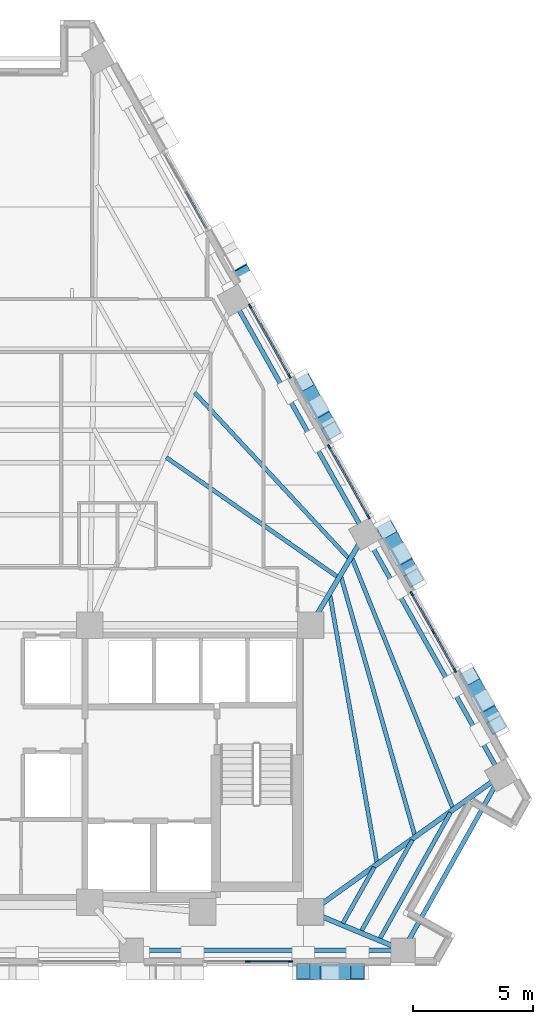
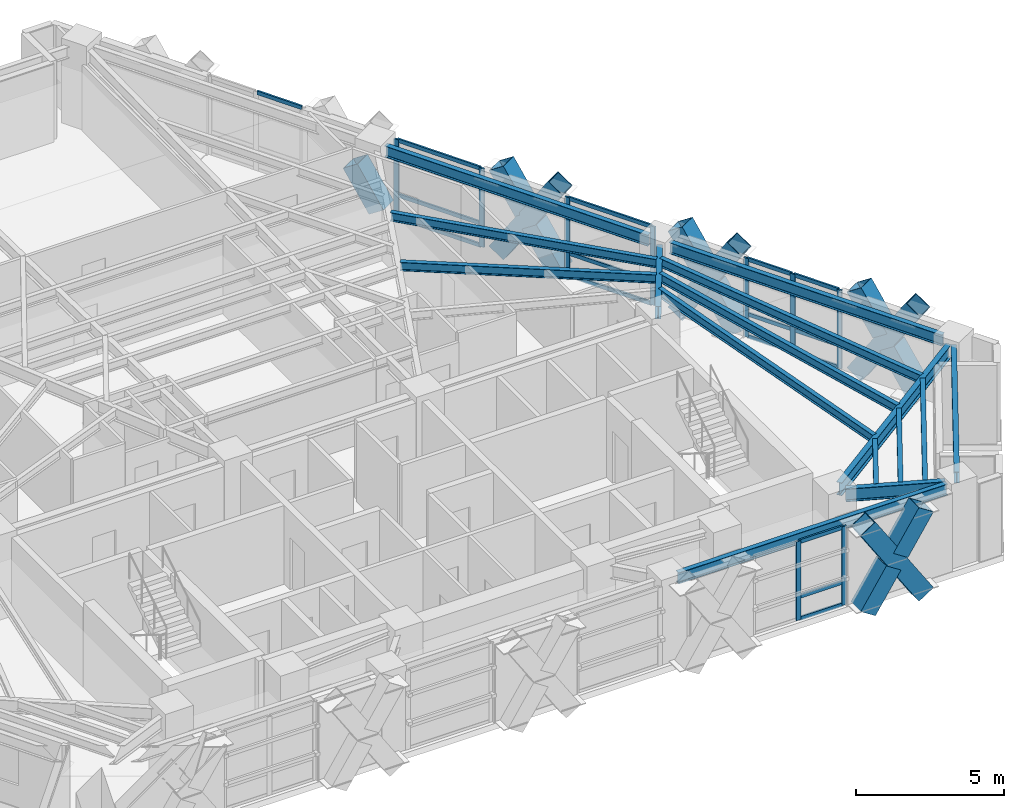
# One storey, part 4 of 14: 38 members, 15 beams, 5 elements without a shape of their own.
"""IFC4 building model written with IfcOpenShell, lengths in metres."""

from ifc_helpers import new_model, si_unit, direction, frame, origin, origin_2d, place, context, subcontext, project, spatial, rectangle, hollow_rectangle, i_section, extrude, material, material_profile, profile_set, type_object, element, aggregate, save


model = new_model("IFC4")

# Units and contexts
model_context = context("Model", 3, precision=1e-05, world=origin(), true_north=direction((0.0, 1.0)))
body_context = subcontext(model_context, "Body", "Model", "MODEL_VIEW")
ifc_project = project(units=[si_unit("LENGTHUNIT", "METRE"), si_unit("AREAUNIT", "SQUARE_METRE"), si_unit("VOLUMEUNIT", "CUBIC_METRE"), si_unit("PLANEANGLEUNIT", "RADIAN"), si_unit("MASSUNIT", "GRAM", prefix="KILO")], contexts=[model_context])

# Site, building, storey
site_placement = place(None, origin())
site = spatial("IfcSite", under=ifc_project, at=site_placement, CompositionType="ELEMENT")
building_placement = place(site_placement, origin())
building = spatial("IfcBuilding", under=site, at=building_placement, Name="Quenlor Broadcast Tower", CompositionType="ELEMENT")
storey_placement = place(building_placement, frame((0.0, 0.0, 154.5)))
storey = spatial("IfcBuildingStorey", under=building, at=storey_placement, Name="L42", CompositionType="ELEMENT", Elevation=154.5)

# Curtain wall, members
ifc_material_1 = material(Name="Architectural Terracotta and Low-E Glazing", Category="masonry")
curtain_wall_type = type_object("IfcCurtainWallType", Name="Unitised Terracotta Curtain Wall System Z3", PredefinedType="NOTDEFINED", material=ifc_material_1)
curtain_wall_1_placement = place(storey_placement, origin())
curtain_wall_1 = element("IfcCurtainWall", 1, at=curtain_wall_1_placement, inside=storey, type_object=curtain_wall_type, Name="L42 Curtain Wall CW3 (L42-SA-G1)", PredefinedType="NOTDEFINED")
ifc_material_2 = material(Name="Aluminium 6063-T6", Category="aluminium")
ifc_material_profile_1 = material_profile(ifc_material_2, rectangle(XDim=0.070068359375, YDim=0.18994140625, at=origin_2d()))
ifc_profile_set_1 = profile_set([ifc_material_profile_1], Name="Aluminium 6063-T6 MULL70x190")
member_type_1 = type_object("IfcMemberType", Name="CW3 Aluminium Mullion MULL_CW3", PredefinedType="MULLION", material=ifc_profile_set_1)
member_1_placement = place(storey_placement, frame((12.114013671875, -18.824951171875, 0.0), z_axis=(0.0, 0.0, 1.0), x_axis=(0.0, -1.0, 0.0)))
member_1 = element("IfcMember", 2, at=member_1_placement, type_object=member_type_1, Name="CW3 mullion 1", PredefinedType="MULLION", context=body_context, shape_type="SweptSolid", body=[
    extrude(rectangle(XDim=0.070068359375, YDim=0.18994140625, at=origin_2d()), origin(), (0.0, 0.0, 1.0), 3.25),
])
member_2_placement = place(storey_placement, frame((10.33203125, -18.824951171875, 0.0), z_axis=(0.0, 0.0, 1.0), x_axis=(0.0, -1.0, 0.0)))
member_2 = element("IfcMember", 3, at=member_2_placement, type_object=member_type_1, Name="CW3 mullion 2", PredefinedType="MULLION", context=body_context, shape_type="SweptSolid", body=[
    extrude(rectangle(XDim=0.070068359375, YDim=0.18994140625, at=origin_2d()), origin(), (0.0, 0.0, 1.0), 3.25),
])

curtain_wall_2_placement = place(storey_placement, origin())
curtain_wall_2 = element("IfcCurtainWall", 4, at=curtain_wall_2_placement, inside=storey, type_object=curtain_wall_type, Name="L42 Curtain Wall CW3 (L42-NEC-G1)", PredefinedType="NOTDEFINED")
member_3_placement = place(storey_placement, frame((17.17138671875, -3.48388671875, 0.0), z_axis=(0.0, 0.0, 1.0), x_axis=(0.871576967495, 0.490258696743, 0.0)))
member_3 = element("IfcMember", 5, at=member_3_placement, type_object=member_type_1, Name="CW3 mullion 1", PredefinedType="MULLION", context=body_context, shape_type="SweptSolid", body=[
    extrude(rectangle(XDim=0.070068359375, YDim=0.18994140625, at=origin_2d()), origin(), (0.0, 0.0, 1.0), 3.25),
])
member_4_placement = place(storey_placement, frame((18.069580078125, -5.080810546875, 0.0), z_axis=(0.0, 0.0, 1.0), x_axis=(0.871576967495, 0.490258696743, 0.0)))
member_4 = element("IfcMember", 6, at=member_4_placement, type_object=member_type_1, Name="CW3 mullion 2", PredefinedType="MULLION", context=body_context, shape_type="SweptSolid", body=[
    extrude(rectangle(XDim=0.070068359375, YDim=0.18994140625, at=origin_2d()), origin(), (0.0, 0.0, 1.0), 3.25),
])
member_5_placement = place(storey_placement, frame((18.9677734375, -6.677490234375, 0.0), z_axis=(0.0, 0.0, 1.0), x_axis=(0.871576967495, 0.490258696743, 0.0)))
member_5 = element("IfcMember", 7, at=member_5_placement, type_object=member_type_1, Name="CW3 mullion 3", PredefinedType="MULLION", context=body_context, shape_type="SweptSolid", body=[
    extrude(rectangle(XDim=0.070068359375, YDim=0.18994140625, at=origin_2d()), origin(), (0.0, 0.0, 1.0), 3.25),
])

curtain_wall_3_placement = place(storey_placement, origin())
curtain_wall_3 = element("IfcCurtainWall", 8, at=curtain_wall_3_placement, inside=storey, type_object=curtain_wall_type, Name="L42 Curtain Wall CW3 (L42-NE-G1)", PredefinedType="NOTDEFINED")
member_6_placement = place(storey_placement, frame((10.428955078125, 8.50244140625, 0.0), z_axis=(0.0, 0.0, 1.0), x_axis=(0.871578660222, 0.490255687418, 0.0)))
member_6 = element("IfcMember", 9, at=member_6_placement, type_object=member_type_1, Name="CW3 mullion 1", PredefinedType="MULLION", context=body_context, shape_type="SweptSolid", body=[
    extrude(rectangle(XDim=0.070068359375, YDim=0.18994140625, at=origin_2d()), origin(), (0.0, 0.0, 1.0), 3.25),
])
member_7_placement = place(storey_placement, frame((12.071533203125, 5.582275390625, 0.0), z_axis=(0.0, 0.0, 1.0), x_axis=(0.871578660222, 0.490255687418, 0.0)))
member_7 = element("IfcMember", 10, at=member_7_placement, type_object=member_type_1, Name="CW3 mullion 2", PredefinedType="MULLION", context=body_context, shape_type="SweptSolid", body=[
    extrude(rectangle(XDim=0.070068359375, YDim=0.18994140625, at=origin_2d()), origin(), (0.0, 0.0, 1.0), 3.25),
])

curtain_wall_4_placement = place(storey_placement, origin())
curtain_wall_4 = element("IfcCurtainWall", 11, at=curtain_wall_4_placement, inside=storey, type_object=curtain_wall_type, Name="L42 Curtain Wall CW3 (L42-NE-G2)", PredefinedType="NOTDEFINED")
member_8_placement = place(storey_placement, frame((13.723388671875, 2.64599609375, 0.0), z_axis=(0.0, 0.0, 1.0), x_axis=(0.871571633105, 0.490268180048, 0.0)))
member_8 = element("IfcMember", 12, at=member_8_placement, type_object=member_type_1, Name="CW3 mullion 1", PredefinedType="MULLION", context=body_context, shape_type="SweptSolid", body=[
    extrude(rectangle(XDim=0.070068359375, YDim=0.18994140625, at=origin_2d()), origin(), (0.0, 0.0, 1.0), 3.25),
])
member_9_placement = place(storey_placement, frame((15.365966796875, -0.274169921875, 0.0), z_axis=(0.0, 0.0, 1.0), x_axis=(0.871571633105, 0.490268180048, 0.0)))
member_9 = element("IfcMember", 13, at=member_9_placement, type_object=member_type_1, Name="CW3 mullion 2", PredefinedType="MULLION", context=body_context, shape_type="SweptSolid", body=[
    extrude(rectangle(XDim=0.070068359375, YDim=0.18994140625, at=origin_2d()), origin(), (0.0, 0.0, 1.0), 3.25),
])

# Member
ifc_material_3 = material(Name="Aluminium 6063-T6", Category="aluminium")
ifc_material_profile_2 = material_profile(ifc_material_3, rectangle(XDim=0.070068359375, YDim=0.155029296875, at=origin_2d()))
ifc_profile_set_2 = profile_set([ifc_material_profile_2], Name="Aluminium 6063-T6 TRAN70x155")
member_type_2 = type_object("IfcMemberType", Name="CW3 Aluminium Transom TRAN_CW3", PredefinedType="USERDEFINED", material=ifc_profile_set_2)
member_10_placement = place(storey_placement, frame((12.0791015625, -18.824951171875, 0.034912109375), z_axis=(-1.0, 0.0, 0.0), x_axis=(0.0, -1.0, 0.0)))
member_10 = element("IfcMember", 14, at=member_10_placement, type_object=member_type_2, Name="CW3 transom 1.1", ObjectType="TRANSOM", PredefinedType="USERDEFINED", context=body_context, shape_type="SweptSolid", body=[
    extrude(rectangle(XDim=0.070068359375, YDim=0.155029296875, at=origin_2d()), origin(), (0.0, 0.0, 1.0), 1.712158203125),
])

member_11_placement = place(storey_placement, frame((12.0791015625, -18.824951171875, 0.949951171875), z_axis=(-1.0, 0.0, 0.0), x_axis=(0.0, -1.0, 0.0)))
member_11 = element("IfcMember", 15, at=member_11_placement, type_object=member_type_2, Name="CW3 transom 1.2", ObjectType="TRANSOM", PredefinedType="USERDEFINED", context=body_context, shape_type="SweptSolid", body=[
    extrude(rectangle(XDim=0.070068359375, YDim=0.155029296875, at=origin_2d()), origin(), (0.0, 0.0, 1.0), 1.712158203125),
])

member_12_placement = place(storey_placement, frame((12.0791015625, -18.824951171875, 3.215087890625), z_axis=(-1.0, 0.0, 0.0), x_axis=(0.0, -1.0, 0.0)))
member_12 = element("IfcMember", 16, at=member_12_placement, type_object=member_type_2, Name="CW3 transom 1.3", ObjectType="TRANSOM", PredefinedType="USERDEFINED", context=body_context, shape_type="SweptSolid", body=[
    extrude(rectangle(XDim=0.070068359375, YDim=0.155029296875, at=origin_2d()), origin(), (0.0, 0.0, 1.0), 1.712158203125),
])

aggregate(curtain_wall_1, [member_1, member_2, member_10, member_11, member_12])

# Curtain wall, member
curtain_wall_5_placement = place(storey_placement, origin())
curtain_wall_5 = element("IfcCurtainWall", 17, at=curtain_wall_5_placement, inside=storey, type_object=curtain_wall_type, Name="L42 Curtain Wall CW3 (L42-NEA-G1)", PredefinedType="NOTDEFINED")
member_13_placement = place(storey_placement, frame((7.742431640625, 13.278564453125, 3.215087890625), z_axis=(0.490353334151, -0.871523727553, 0.0), x_axis=(0.871523727553, 0.490353334151, 0.0)))
member_13 = element("IfcMember", 18, at=member_13_placement, type_object=member_type_2, Name="CW3 transom 2.3", ObjectType="TRANSOM", PredefinedType="USERDEFINED", context=body_context, shape_type="SweptSolid", body=[
    extrude(rectangle(XDim=0.070068359375, YDim=0.155029296875, at=origin_2d()), origin(), (0.0, 0.0, 1.0), 1.761962890625),
])
aggregate(curtain_wall_5, [member_13])

# Member
member_14_placement = place(storey_placement, frame((17.188720703125, -3.514404296875, 0.034912109375), z_axis=(0.490188879637, -0.871616235668, 0.0), x_axis=(0.871616235668, 0.490188879637, 0.0)))
member_14 = element("IfcMember", 19, at=member_14_placement, type_object=member_type_2, Name="CW3 transom 1.1", ObjectType="TRANSOM", PredefinedType="USERDEFINED", context=body_context, shape_type="SweptSolid", body=[
    extrude(rectangle(XDim=0.070068359375, YDim=0.155029296875, at=origin_2d()), origin(), (0.0, 0.0, 1.0), 1.76220703125),
])

member_15_placement = place(storey_placement, frame((17.188720703125, -3.514404296875, 0.949951171875), z_axis=(0.490188879637, -0.871616235668, 0.0), x_axis=(0.871616235668, 0.490188879637, 0.0)))
member_15 = element("IfcMember", 20, at=member_15_placement, type_object=member_type_2, Name="CW3 transom 1.2", ObjectType="TRANSOM", PredefinedType="USERDEFINED", context=body_context, shape_type="SweptSolid", body=[
    extrude(rectangle(XDim=0.070068359375, YDim=0.155029296875, at=origin_2d()), origin(), (0.0, 0.0, 1.0), 1.76220703125),
])

member_16_placement = place(storey_placement, frame((17.188720703125, -3.514404296875, 3.215087890625), z_axis=(0.490188879637, -0.871616235668, 0.0), x_axis=(0.871616235668, 0.490188879637, 0.0)))
member_16 = element("IfcMember", 21, at=member_16_placement, type_object=member_type_2, Name="CW3 transom 1.3", ObjectType="TRANSOM", PredefinedType="USERDEFINED", context=body_context, shape_type="SweptSolid", body=[
    extrude(rectangle(XDim=0.070068359375, YDim=0.155029296875, at=origin_2d()), origin(), (0.0, 0.0, 1.0), 1.76220703125),
])

member_17_placement = place(storey_placement, frame((18.0869140625, -5.111083984375, 0.034912109375), z_axis=(0.490188879637, -0.871616235668, 0.0), x_axis=(0.871616235668, 0.490188879637, 0.0)))
member_17 = element("IfcMember", 22, at=member_17_placement, type_object=member_type_2, Name="CW3 transom 2.1", ObjectType="TRANSOM", PredefinedType="USERDEFINED", context=body_context, shape_type="SweptSolid", body=[
    extrude(rectangle(XDim=0.070068359375, YDim=0.155029296875, at=origin_2d()), origin(), (0.0, 0.0, 1.0), 1.76220703125),
])

member_18_placement = place(storey_placement, frame((18.0869140625, -5.111083984375, 0.949951171875), z_axis=(0.490188879637, -0.871616235668, 0.0), x_axis=(0.871616235668, 0.490188879637, 0.0)))
member_18 = element("IfcMember", 23, at=member_18_placement, type_object=member_type_2, Name="CW3 transom 2.2", ObjectType="TRANSOM", PredefinedType="USERDEFINED", context=body_context, shape_type="SweptSolid", body=[
    extrude(rectangle(XDim=0.070068359375, YDim=0.155029296875, at=origin_2d()), origin(), (0.0, 0.0, 1.0), 1.76220703125),
])

member_19_placement = place(storey_placement, frame((18.0869140625, -5.111083984375, 3.215087890625), z_axis=(0.490188879637, -0.871616235668, 0.0), x_axis=(0.871616235668, 0.490188879637, 0.0)))
member_19 = element("IfcMember", 24, at=member_19_placement, type_object=member_type_2, Name="CW3 transom 2.3", ObjectType="TRANSOM", PredefinedType="USERDEFINED", context=body_context, shape_type="SweptSolid", body=[
    extrude(rectangle(XDim=0.070068359375, YDim=0.155029296875, at=origin_2d()), origin(), (0.0, 0.0, 1.0), 1.76220703125),
])

aggregate(curtain_wall_2, [member_3, member_4, member_5, member_14, member_15, member_16, member_17, member_18, member_19])

member_20_placement = place(storey_placement, frame((10.4462890625, 8.471923828125, 0.034912109375), z_axis=(0.490236504766, -0.871589450025, 0.0), x_axis=(0.871589450025, 0.490236504766, 0.0)))
member_20 = element("IfcMember", 25, at=member_20_placement, type_object=member_type_2, Name="CW3 transom 1.1", ObjectType="TRANSOM", PredefinedType="USERDEFINED", context=body_context, shape_type="SweptSolid", body=[
    extrude(rectangle(XDim=0.070068359375, YDim=0.155029296875, at=origin_2d()), origin(), (0.0, 0.0, 1.0), 3.2802734375),
])

member_21_placement = place(storey_placement, frame((10.4462890625, 8.471923828125, 0.949951171875), z_axis=(0.490236504766, -0.871589450025, 0.0), x_axis=(0.871589450025, 0.490236504766, 0.0)))
member_21 = element("IfcMember", 26, at=member_21_placement, type_object=member_type_2, Name="CW3 transom 1.2", ObjectType="TRANSOM", PredefinedType="USERDEFINED", context=body_context, shape_type="SweptSolid", body=[
    extrude(rectangle(XDim=0.070068359375, YDim=0.155029296875, at=origin_2d()), origin(), (0.0, 0.0, 1.0), 3.2802734375),
])

member_22_placement = place(storey_placement, frame((10.4462890625, 8.471923828125, 3.215087890625), z_axis=(0.490236504766, -0.871589450025, 0.0), x_axis=(0.871589450025, 0.490236504766, 0.0)))
member_22 = element("IfcMember", 27, at=member_22_placement, type_object=member_type_2, Name="CW3 transom 1.3", ObjectType="TRANSOM", PredefinedType="USERDEFINED", context=body_context, shape_type="SweptSolid", body=[
    extrude(rectangle(XDim=0.070068359375, YDim=0.155029296875, at=origin_2d()), origin(), (0.0, 0.0, 1.0), 3.2802734375),
])

aggregate(curtain_wall_3, [member_6, member_7, member_20, member_21, member_22])

member_23_placement = place(storey_placement, frame((13.740478515625, 2.615478515625, 0.034912109375), z_axis=(0.490293039863, -0.871557648731, 0.0), x_axis=(0.871557648731, 0.490293039863, 0.0)))
member_23 = element("IfcMember", 28, at=member_23_placement, type_object=member_type_2, Name="CW3 transom 1.1", ObjectType="TRANSOM", PredefinedType="USERDEFINED", context=body_context, shape_type="SweptSolid", body=[
    extrude(rectangle(XDim=0.070068359375, YDim=0.155029296875, at=origin_2d()), origin(), (0.0, 0.0, 1.0), 3.280517578125),
])

member_24_placement = place(storey_placement, frame((13.740478515625, 2.615478515625, 0.949951171875), z_axis=(0.490293039863, -0.871557648731, 0.0), x_axis=(0.871557648731, 0.490293039863, 0.0)))
member_24 = element("IfcMember", 29, at=member_24_placement, type_object=member_type_2, Name="CW3 transom 1.2", ObjectType="TRANSOM", PredefinedType="USERDEFINED", context=body_context, shape_type="SweptSolid", body=[
    extrude(rectangle(XDim=0.070068359375, YDim=0.155029296875, at=origin_2d()), origin(), (0.0, 0.0, 1.0), 3.280517578125),
])

member_25_placement = place(storey_placement, frame((13.740478515625, 2.615478515625, 3.215087890625), z_axis=(0.490293039863, -0.871557648731, 0.0), x_axis=(0.871557648731, 0.490293039863, 0.0)))
member_25 = element("IfcMember", 30, at=member_25_placement, type_object=member_type_2, Name="CW3 transom 1.3", ObjectType="TRANSOM", PredefinedType="USERDEFINED", context=body_context, shape_type="SweptSolid", body=[
    extrude(rectangle(XDim=0.070068359375, YDim=0.155029296875, at=origin_2d()), origin(), (0.0, 0.0, 1.0), 3.280517578125),
])

aggregate(curtain_wall_4, [member_8, member_9, member_23, member_24, member_25])

# Members
ifc_material_4 = material(Name="Steel S355", Category="steel")
ifc_material_profile_3 = material_profile(ifc_material_4, hollow_rectangle(XDim=0.679931640625, YDim=0.679931640625, WallThickness=0.02490234375, at=origin_2d()))
ifc_profile_set_3 = profile_set([ifc_material_profile_3], Name="Steel S355 RHS680x680x25")
member_type_3 = type_object("IfcMemberType", Name="Perimeter Diagonal Lattice Brace Z3-Z4 Steel S355 RHS680x25", PredefinedType="BRACE", material=ifc_profile_set_3)
member_26_placement = place(storey_placement, frame((14.91015625, -19.219970703125, -0.1201171875), z_axis=(-0.543860340502, 0.0, 0.839175744424), x_axis=(0.0, -1.0, 0.0)))
element("IfcMember", 31, at=member_26_placement, inside=storey, type_object=member_type_3, Name="L42 Perimeter Diamond Lattice S-C1XA", PredefinedType="BRACE", context=body_context, shape_type="SweptSolid", body=[
    extrude(hollow_rectangle(XDim=0.679931640625, YDim=0.679931640625, WallThickness=0.02490234375, at=origin_2d()), origin(), (0.0, 0.0, 1.0), 4.170654296875),
])
member_27_placement = place(storey_placement, frame((12.641845703125, -19.219970703125, -0.1201171875), z_axis=(0.543786168213, 0.0, 0.839223809994), x_axis=(0.0, 1.0, 0.0)))
element("IfcMember", 32, at=member_27_placement, inside=storey, type_object=member_type_3, Name="L42 Perimeter Diamond Lattice S-C1XB1", PredefinedType="BRACE", context=body_context, shape_type="SweptSolid", body=[
    extrude(hollow_rectangle(XDim=0.679931640625, YDim=0.679931640625, WallThickness=0.02490234375, at=origin_2d()), origin(), (0.0, 0.0, 1.0), 1.83544921875),
])
member_28_placement = place(storey_placement, frame((13.912109375, -19.219970703125, 1.83984375), z_axis=(0.543846878394, 0.0, 0.839184468911), x_axis=(0.0, 1.0, 0.0)))
element("IfcMember", 33, at=member_28_placement, inside=storey, type_object=member_type_3, Name="L42 Perimeter Diamond Lattice S-C1XB2", PredefinedType="BRACE", context=body_context, shape_type="SweptSolid", body=[
    extrude(hollow_rectangle(XDim=0.679931640625, YDim=0.679931640625, WallThickness=0.02490234375, at=origin_2d()), origin(), (0.0, 0.0, 1.0), 1.835205078125),
])
member_29_placement = place(storey_placement, frame((10.361572265625, 9.428466796875, -0.1201171875), z_axis=(-0.270633624024, 0.480906307989, 0.833958370954), x_axis=(-0.871479637717, -0.49043168846, 0.0)))
element("IfcMember", 34, at=member_29_placement, inside=storey, type_object=member_type_3, Name="L42 Perimeter Diamond Lattice NE-C2XB1", PredefinedType="BRACE", context=body_context, shape_type="SweptSolid", body=[
    extrude(hollow_rectangle(XDim=0.679931640625, YDim=0.679931640625, WallThickness=0.02490234375, at=origin_2d()), origin(), (0.0, 0.0, 1.0), 1.848388671875),
])
member_30_placement = place(storey_placement, frame((12.674072265625, 5.317138671875, -0.1201171875), z_axis=(0.270556764115, -0.480963948764, 0.833950068878), x_axis=(0.871564276035, 0.49028125881, 0.0)))
element("IfcMember", 35, at=member_30_placement, inside=storey, type_object=member_type_3, Name="L42 Perimeter Diamond Lattice NE-C3XA", PredefinedType="BRACE", context=body_context, shape_type="SweptSolid", body=[
    extrude(hollow_rectangle(XDim=0.679931640625, YDim=0.679931640625, WallThickness=0.02490234375, at=origin_2d()), origin(), (0.0, 0.0, 1.0), 4.19677734375),
])
member_31_placement = place(storey_placement, frame((13.8095703125, 3.298583984375, -0.1201171875), z_axis=(-0.270633624024, 0.480906307989, 0.833958370954), x_axis=(-0.871479637717, -0.49043168846, 0.0)))
element("IfcMember", 36, at=member_31_placement, inside=storey, type_object=member_type_3, Name="L42 Perimeter Diamond Lattice NE-C3XB1", PredefinedType="BRACE", context=body_context, shape_type="SweptSolid", body=[
    extrude(hollow_rectangle(XDim=0.679931640625, YDim=0.679931640625, WallThickness=0.02490234375, at=origin_2d()), origin(), (0.0, 0.0, 1.0), 1.848388671875),
])
member_32_placement = place(storey_placement, frame((13.17431640625, 4.427978515625, 1.83837890625), z_axis=(-0.270616433058, 0.481007832697, 0.833905396938), x_axis=(-0.871537189362, -0.490329407194, 0.0)))
element("IfcMember", 37, at=member_32_placement, inside=storey, type_object=member_type_3, Name="L42 Perimeter Diamond Lattice NE-C3XB2", PredefinedType="BRACE", context=body_context, shape_type="SweptSolid", body=[
    extrude(hollow_rectangle(XDim=0.679931640625, YDim=0.679931640625, WallThickness=0.02490234375, at=origin_2d()), origin(), (0.0, 0.0, 1.0), 1.8486328125),
])
member_33_placement = place(storey_placement, frame((16.1220703125, -0.812744140625, -0.1201171875), z_axis=(0.2705491942, -0.481008661973, 0.833926735766), x_axis=(0.871589611547, 0.490236217596, 0.0)))
element("IfcMember", 38, at=member_33_placement, inside=storey, type_object=member_type_3, Name="L42 Perimeter Diamond Lattice NE-C4XA", PredefinedType="BRACE", context=body_context, shape_type="SweptSolid", body=[
    extrude(hollow_rectangle(XDim=0.679931640625, YDim=0.679931640625, WallThickness=0.02490234375, at=origin_2d()), origin(), (0.0, 0.0, 1.0), 4.197021484375),
])
member_34_placement = place(storey_placement, frame((17.257568359375, -2.83154296875, -0.1201171875), z_axis=(-0.270494026149, 0.481025021111, 0.833935195853), x_axis=(-0.871639445711, -0.490147607034, 0.0)))
element("IfcMember", 39, at=member_34_placement, inside=storey, type_object=member_type_3, Name="L42 Perimeter Diamond Lattice NE-C4XB1", PredefinedType="BRACE", context=body_context, shape_type="SweptSolid", body=[
    extrude(hollow_rectangle(XDim=0.679931640625, YDim=0.679931640625, WallThickness=0.02490234375, at=origin_2d()), origin(), (0.0, 0.0, 1.0), 1.848388671875),
])
member_35_placement = place(storey_placement, frame((16.622314453125, -1.701904296875, 1.83837890625), z_axis=(-0.270616433058, 0.481007832697, 0.833905396938), x_axis=(-0.871537189362, -0.490329407194, 0.0)))
element("IfcMember", 40, at=member_35_placement, inside=storey, type_object=member_type_3, Name="L42 Perimeter Diamond Lattice NE-C4XB2", PredefinedType="BRACE", context=body_context, shape_type="SweptSolid", body=[
    extrude(hollow_rectangle(XDim=0.679931640625, YDim=0.679931640625, WallThickness=0.02490234375, at=origin_2d()), origin(), (0.0, 0.0, 1.0), 1.8486328125),
])
member_36_placement = place(storey_placement, frame((19.5703125, -6.942626953125, -0.1201171875), z_axis=(0.2705491942, -0.481008661973, 0.833926735766), x_axis=(0.871589611547, 0.490236217596, 0.0)))
element("IfcMember", 41, at=member_36_placement, inside=storey, type_object=member_type_3, Name="L42 Perimeter Diamond Lattice NE-C5XA", PredefinedType="BRACE", context=body_context, shape_type="SweptSolid", body=[
    extrude(hollow_rectangle(XDim=0.679931640625, YDim=0.679931640625, WallThickness=0.02490234375, at=origin_2d()), origin(), (0.0, 0.0, 1.0), 4.197021484375),
])
member_37_placement = place(storey_placement, frame((20.705810546875, -8.96142578125, -0.1201171875), z_axis=(-0.270616433058, 0.481007832697, 0.833905396938), x_axis=(-0.871537189362, -0.490329407194, 0.0)))
element("IfcMember", 42, at=member_37_placement, inside=storey, type_object=member_type_3, Name="L42 Perimeter Diamond Lattice NE-C5XB1", PredefinedType="BRACE", context=body_context, shape_type="SweptSolid", body=[
    extrude(hollow_rectangle(XDim=0.679931640625, YDim=0.679931640625, WallThickness=0.02490234375, at=origin_2d()), origin(), (0.0, 0.0, 1.0), 1.8486328125),
])
member_38_placement = place(storey_placement, frame((20.0703125, -7.831787109375, 1.83837890625), z_axis=(-0.270494026149, 0.481025021111, 0.833935195853), x_axis=(-0.871639445711, -0.490147607034, 0.0)))
element("IfcMember", 43, at=member_38_placement, inside=storey, type_object=member_type_3, Name="L42 Perimeter Diamond Lattice NE-C5XB2", PredefinedType="BRACE", context=body_context, shape_type="SweptSolid", body=[
    extrude(hollow_rectangle(XDim=0.679931640625, YDim=0.679931640625, WallThickness=0.02490234375, at=origin_2d()), origin(), (0.0, 0.0, 1.0), 1.848388671875),
])

# Beams
ifc_material_5 = material(Name="Steel S355", Category="steel")
ifc_material_profile_4 = material_profile(ifc_material_5, i_section(OverallWidth=0.19091796875, OverallDepth=0.46044921875, WebThickness=0.010009765625, FlangeThickness=0.01611328125, FilletRadius=0.011474609375, at=origin_2d()))
ifc_profile_set_4 = profile_set([ifc_material_profile_4], Name="Steel S355 460UB82.1")
beam_type_1 = type_object("IfcBeamType", Name="Perimeter Spandrel Beam Z3 Steel S355 460UB82.1", PredefinedType="SPANDREL", material=ifc_profile_set_4)
beam_1_placement = place(storey_placement, frame((5.89111328125, -18.35009765625, 3.019775390625), z_axis=(1.0, 0.0, 0.0), x_axis=(0.0, 1.0, 0.0)))
element("IfcBeam", 44, at=beam_1_placement, inside=storey, type_object=beam_type_1, Name="L42 Spandrel Beam S3-S4", PredefinedType="SPANDREL", context=body_context, shape_type="SweptSolid", body=[
    extrude(i_section(OverallWidth=0.19091796875, OverallDepth=0.46044921875, WebThickness=0.010009765625, FlangeThickness=0.01611328125, FilletRadius=0.011474609375, at=origin_2d()), origin(), (0.0, 0.0, 1.0), 10.50732421875),
])
beam_2_placement = place(storey_placement, frame((17.008544921875, -17.9921875, 3.019775390625), z_axis=(0.488298439934, 0.872676706208, 0.0), x_axis=(-0.872676706208, 0.488298439934, 0.0)))
element("IfcBeam", 45, at=beam_2_placement, inside=storey, type_object=beam_type_1, Name="L42 Spandrel Beam S4-NE1", PredefinedType="SPANDREL", context=body_context, shape_type="SweptSolid", body=[
    extrude(i_section(OverallWidth=0.19091796875, OverallDepth=0.46044921875, WebThickness=0.010009765625, FlangeThickness=0.01611328125, FilletRadius=0.011474609375, at=origin_2d()), origin(), (0.0, 0.0, 1.0), 7.5341796875),
])
beam_3_placement = place(storey_placement, frame((20.686767578125, -10.7021484375, 3.019775390625), z_axis=(-0.490257999604, 0.871577359633, 0.0), x_axis=(-0.871577359633, -0.490257999604, 0.0)))
element("IfcBeam", 46, at=beam_3_placement, inside=storey, type_object=beam_type_1, Name="L42 Spandrel Beam NE1-NE2", PredefinedType="SPANDREL", context=body_context, shape_type="SweptSolid", body=[
    extrude(i_section(OverallWidth=0.19091796875, OverallDepth=0.46044921875, WebThickness=0.010009765625, FlangeThickness=0.01611328125, FilletRadius=0.011474609375, at=origin_2d()), origin(), (0.0, 0.0, 1.0), 10.732666015625),
])
beam_4_placement = place(storey_placement, frame((15.02294921875, -0.63330078125, 3.019775390625), z_axis=(-0.490252288562, 0.871580572041, 0.0), x_axis=(-0.871580572041, -0.490252288562, 0.0)))
element("IfcBeam", 47, at=beam_4_placement, inside=storey, type_object=beam_type_1, Name="L42 Spandrel Beam NE2-NE3", PredefinedType="SPANDREL", context=body_context, shape_type="SweptSolid", body=[
    extrude(i_section(OverallWidth=0.19091796875, OverallDepth=0.46044921875, WebThickness=0.010009765625, FlangeThickness=0.01611328125, FilletRadius=0.011474609375, at=origin_2d()), origin(), (0.0, 0.0, 1.0), 10.359619140625),
])
ifc_material_6 = material(Name="Steel S355", Category="steel")
ifc_material_profile_5 = material_profile(ifc_material_6, i_section(OverallWidth=0.172119140625, OverallDepth=0.358642578125, WebThickness=0.008056640625, FlangeThickness=0.012939453125, FilletRadius=0.011474609375, at=origin_2d()))
ifc_profile_set_5 = profile_set([ifc_material_profile_5], Name="Steel S355 360UB56.7")
beam_type_2 = type_object("IfcBeamType", Name="Tower Composite Joist Z2-Z3 Steel S355 360UB56.7", PredefinedType="JOIST", material=ifc_profile_set_5)
beam_5_placement = place(storey_placement, frame((14.06689453125, -2.7734375, 3.07080078125), z_axis=(-0.82026568394, 0.57198269882, 0.0), x_axis=(-0.57198269882, -0.82026568394, 0.0)))
element("IfcBeam", 48, at=beam_5_placement, inside=storey, type_object=beam_type_2, Name="L42 Secondary Composite Joist 11", PredefinedType="JOIST", context=body_context, shape_type="SweptSolid", body=[
    extrude(i_section(OverallWidth=0.172119140625, OverallDepth=0.358642578125, WebThickness=0.008056640625, FlangeThickness=0.012939453125, FilletRadius=0.011474609375, at=origin_2d()), origin(), (0.0, 0.0, 1.0), 8.698486328125),
])
beam_6_placement = place(storey_placement, frame((14.53271484375, -1.998779296875, 3.07080078125), z_axis=(-0.680873505991, 0.732401030065, 0.0), x_axis=(-0.732401030065, -0.680873505991, 0.0)))
element("IfcBeam", 49, at=beam_6_placement, inside=storey, type_object=beam_type_2, Name="L42 Secondary Composite Joist 12", PredefinedType="JOIST", context=body_context, shape_type="SweptSolid", body=[
    extrude(i_section(OverallWidth=0.172119140625, OverallDepth=0.358642578125, WebThickness=0.008056640625, FlangeThickness=0.012939453125, FilletRadius=0.011474609375, at=origin_2d()), origin(), (0.0, 0.0, 1.0), 9.419189453125),
])
beam_7_placement = place(storey_placement, frame((15.71435546875, -14.679443359375, 3.07080078125), z_axis=(-0.172906811417, 0.984938188195, 0.0), x_axis=(-0.984938188195, -0.172906811417, 0.0)))
element("IfcBeam", 50, at=beam_7_placement, inside=storey, type_object=beam_type_2, Name="L42 Secondary Composite Joist 16", PredefinedType="JOIST", context=body_context, shape_type="SweptSolid", body=[
    extrude(i_section(OverallWidth=0.172119140625, OverallDepth=0.358642578125, WebThickness=0.008056640625, FlangeThickness=0.012939453125, FilletRadius=0.011474609375, at=origin_2d()), origin(), (0.0, 0.0, 1.0), 11.30419921875),
])
beam_8_placement = place(storey_placement, frame((17.293701171875, -13.543212890625, 3.07080078125), z_axis=(-0.274418577045, 0.961610339261, 0.0), x_axis=(-0.961610339261, -0.274418577045, 0.0)))
element("IfcBeam", 51, at=beam_8_placement, inside=storey, type_object=beam_type_2, Name="L42 Secondary Composite Joist 17", PredefinedType="JOIST", context=body_context, shape_type="SweptSolid", body=[
    extrude(i_section(OverallWidth=0.172119140625, OverallDepth=0.358642578125, WebThickness=0.008056640625, FlangeThickness=0.012939453125, FilletRadius=0.011474609375, at=origin_2d()), origin(), (0.0, 0.0, 1.0), 11.191162109375),
])
beam_9_placement = place(storey_placement, frame((18.873291015625, -12.407958984375, 3.07080078125), z_axis=(-0.373824118901, 0.927499610851, 0.0), x_axis=(-0.927499610851, -0.373824118901, 0.0)))
element("IfcBeam", 52, at=beam_9_placement, inside=storey, type_object=beam_type_2, Name="L42 Secondary Composite Joist 18", PredefinedType="JOIST", context=body_context, shape_type="SweptSolid", body=[
    extrude(i_section(OverallWidth=0.172119140625, OverallDepth=0.358642578125, WebThickness=0.008056640625, FlangeThickness=0.012939453125, FilletRadius=0.011474609375, at=origin_2d()), origin(), (0.0, 0.0, 1.0), 11.203125),
])
beam_10_placement = place(storey_placement, frame((14.30078125, -17.22412109375, 3.07080078125), z_axis=(0.488370382241, 0.87263644764, 0.0), x_axis=(-0.87263644764, 0.488370382241, 0.0)))
element("IfcBeam", 53, at=beam_10_placement, inside=storey, type_object=beam_type_2, Name="L42 Secondary Composite Joist 22", PredefinedType="JOIST", context=body_context, shape_type="SweptSolid", body=[
    extrude(i_section(OverallWidth=0.172119140625, OverallDepth=0.358642578125, WebThickness=0.008056640625, FlangeThickness=0.012939453125, FilletRadius=0.011474609375, at=origin_2d()), origin(), (0.0, 0.0, 1.0), 2.680419921875),
])
beam_11_placement = place(storey_placement, frame((15.072509765625, -17.544189453125, 3.07080078125), z_axis=(0.488294103756, 0.872679132463, 0.0), x_axis=(-0.872679132463, 0.488294103756, 0.0)))
element("IfcBeam", 54, at=beam_11_placement, inside=storey, type_object=beam_type_2, Name="L42 Secondary Composite Joist 23", PredefinedType="JOIST", context=body_context, shape_type="SweptSolid", body=[
    extrude(i_section(OverallWidth=0.172119140625, OverallDepth=0.358642578125, WebThickness=0.008056640625, FlangeThickness=0.012939453125, FilletRadius=0.011474609375, at=origin_2d()), origin(), (0.0, 0.0, 1.0), 4.351318359375),
])
beam_12_placement = place(storey_placement, frame((15.84423828125, -17.8642578125, 3.07080078125), z_axis=(0.488308300212, 0.872671188905, 0.0), x_axis=(-0.872671188905, 0.488308300212, 0.0)))
element("IfcBeam", 55, at=beam_12_placement, inside=storey, type_object=beam_type_2, Name="L42 Secondary Composite Joist 24", PredefinedType="JOIST", context=body_context, shape_type="SweptSolid", body=[
    extrude(i_section(OverallWidth=0.172119140625, OverallDepth=0.358642578125, WebThickness=0.008056640625, FlangeThickness=0.012939453125, FilletRadius=0.011474609375, at=origin_2d()), origin(), (0.0, 0.0, 1.0), 6.022216796875),
])
ifc_material_7 = material(Name="Steel S355", Category="steel")
ifc_material_profile_6 = material_profile(ifc_material_7, i_section(OverallWidth=0.208984375, OverallDepth=0.532958984375, WebThickness=0.01025390625, FlangeThickness=0.015625, FilletRadius=0.013916015625, at=origin_2d()))
ifc_profile_set_6 = profile_set([ifc_material_profile_6], Name="Steel S355 530UB92.4")
beam_type_3 = type_object("IfcBeamType", Name="Tower Primary Floor Beam Z3 Steel S355 530UB92.4", PredefinedType="BEAM", material=ifc_profile_set_6)
beam_13_placement = place(storey_placement, frame((16.4296875, -18.19287109375, 2.9833984375), z_axis=(-0.923730294618, 0.383043525993, 0.0), x_axis=(-0.383043525993, -0.923730294618, 0.0)))
element("IfcBeam", 56, at=beam_13_placement, inside=storey, type_object=beam_type_3, Name="L42 Primary Radial Beam S4", PredefinedType="BEAM", context=body_context, shape_type="SweptSolid", body=[
    extrude(i_section(OverallWidth=0.208984375, OverallDepth=0.532958984375, WebThickness=0.01025390625, FlangeThickness=0.015625, FilletRadius=0.013916015625, at=origin_2d()), origin(), (0.0, 0.0, 1.0), 3.386962890625),
])
beam_14_placement = place(storey_placement, frame((20.554443359375, -11.29833984375, 2.9833984375), z_axis=(-0.812728908832, -0.582642017666, 0.0), x_axis=(0.582642017666, -0.812728908832, 0.0)))
element("IfcBeam", 57, at=beam_14_placement, inside=storey, type_object=beam_type_3, Name="L42 Primary Radial Beam NE1", PredefinedType="BEAM", context=body_context, shape_type="SweptSolid", body=[
    extrude(i_section(OverallWidth=0.208984375, OverallDepth=0.532958984375, WebThickness=0.01025390625, FlangeThickness=0.015625, FilletRadius=0.013916015625, at=origin_2d()), origin(), (0.0, 0.0, 1.0), 8.976806640625),
])
beam_15_placement = place(storey_placement, frame((15.013916015625, -1.3427734375, 2.9833984375), z_axis=(-0.512604023694, -0.858625130597, 0.0), x_axis=(0.858625130597, -0.512604023694, 0.0)))
element("IfcBeam", 58, at=beam_15_placement, inside=storey, type_object=beam_type_3, Name="L42 Primary Radial Beam NE2", PredefinedType="BEAM", context=body_context, shape_type="SweptSolid", body=[
    extrude(i_section(OverallWidth=0.208984375, OverallDepth=0.532958984375, WebThickness=0.01025390625, FlangeThickness=0.015625, FilletRadius=0.013916015625, at=origin_2d()), origin(), (0.0, 0.0, 1.0), 3.646484375),
])

save(model, "model.ifc")
